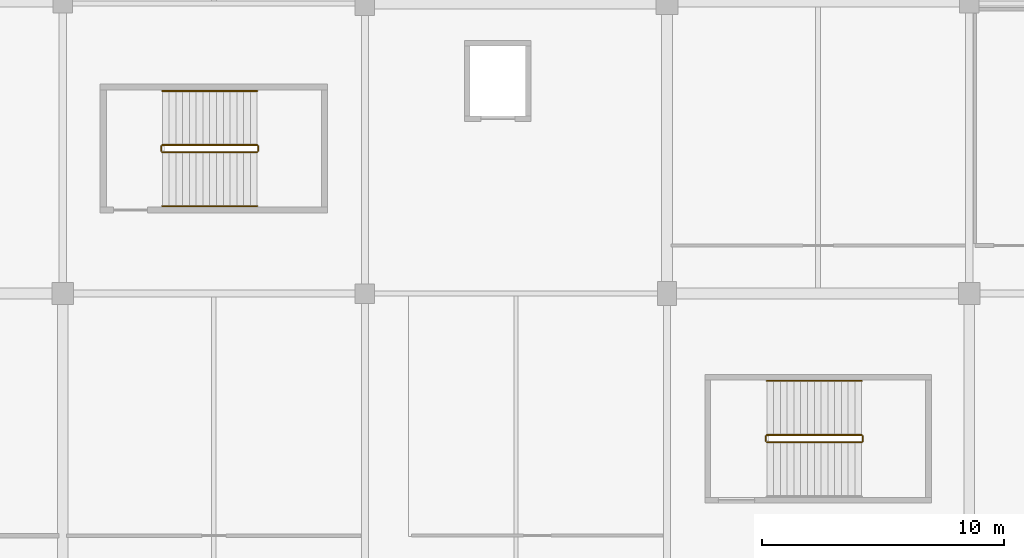
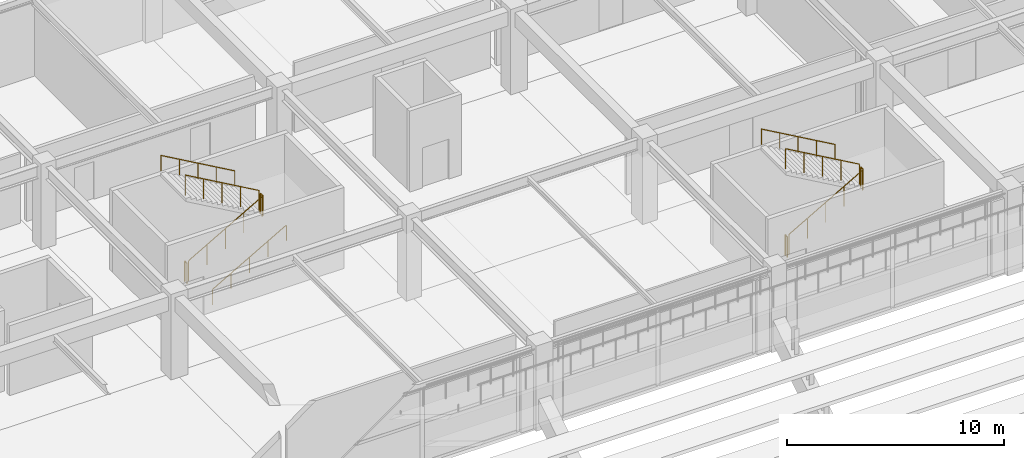
# One storey, part 132 of 134: 11 railings.
"""IFC4 building model written with IfcOpenShell, lengths in metres."""

from ifc_helpers import new_model, si_unit, direction, frame, origin, origin_2d, place, context, subcontext, project, spatial, circle, extrude, material, layer, layer_set, type_object, element, save


model = new_model("IFC4")

# Units and contexts
model_context = context("Model", 3, precision=1e-05, world=origin(), true_north=direction((0.0, 1.0)))
body_context = subcontext(model_context, "Body", "Model", "MODEL_VIEW")
ifc_project = project(units=[si_unit("LENGTHUNIT", "METRE"), si_unit("AREAUNIT", "SQUARE_METRE"), si_unit("VOLUMEUNIT", "CUBIC_METRE"), si_unit("PLANEANGLEUNIT", "RADIAN"), si_unit("MASSUNIT", "GRAM", prefix="KILO")], contexts=[model_context])

# Site, building, storey
site_placement = place(None, origin())
site = spatial("IfcSite", under=ifc_project, at=site_placement, CompositionType="ELEMENT")
building_placement = place(site_placement, origin())
building = spatial("IfcBuilding", under=site, at=building_placement, Name="Kazenohara Klinker Stadium", CompositionType="ELEMENT")
storey_placement = place(building_placement, frame((0.0, 0.0, 5.39990234375)))
storey = spatial("IfcBuildingStorey", under=building, at=storey_placement, Name="L01", CompositionType="ELEMENT", Elevation=5.39990234375)

# Railings
ifc_material_1 = material(Name="Brushed stainless steel 304 handrail", Category="steel")
ifc_layer_1 = layer(ifc_material_1, 0.050048828125)
ifc_layer_set_1 = layer_set([ifc_layer_1], Name="Brushed stainless steel 304 handrail")
railing_type_1 = type_object("IfcRailingType", Name="RL-HND-900", PredefinedType="HANDRAIL", material=ifc_layer_set_1)
railing_1_placement = place(storey_placement, frame((129.1201171875, 147.6201171875, 0.16015625)))
element("IfcRailing", 1, at=railing_1_placement, inside=storey, type_object=railing_type_1, Name="L01 ST11 stair handrail 1", PredefinedType="HANDRAIL", context=body_context, shape_type="SweptSolid", body=[
    extrude(circle(Radius=0.02392578125, at=origin_2d()), frame((0.0, 0.0, 0.8759765625), z_axis=(0.868239814368, 0.0, 0.496144761885), x_axis=(0.0, 1.0, 0.0)), (0.0, 0.0, 1.0), 4.514892578125),
    extrude(circle(Radius=0.02099609375, at=origin_2d()), origin(), (0.0, 0.0, 1.0), 0.851806640625),
    extrude(circle(Radius=0.02099609375, at=origin_2d()), frame((0.97998046875, 0.0, 0.56005859375)), (0.0, 0.0, 1.0), 0.851806640625),
    extrude(circle(Radius=0.02099609375, at=origin_2d()), frame((1.9599609375, 0.0, 1.1201171875)), (0.0, 0.0, 1.0), 0.851806640625),
    extrude(circle(Radius=0.02099609375, at=origin_2d()), frame((2.93994140625, 0.0, 1.679931640625)), (0.0, 0.0, 1.0), 0.851806640625),
    extrude(circle(Radius=0.02099609375, at=origin_2d()), frame((3.919921875, 0.0, 2.239990234375)), (0.0, 0.0, 1.0), 0.851806640625),
])
railing_2_placement = place(storey_placement, frame((133.0400390625, 152.3798828125, 2.56005859375)))
element("IfcRailing", 2, at=railing_2_placement, inside=storey, type_object=railing_type_1, Name="L01 ST11 stair handrail 2", PredefinedType="HANDRAIL", context=body_context, shape_type="SweptSolid", body=[
    extrude(circle(Radius=0.02392578125, at=origin_2d()), frame((0.0, 0.0, 0.8759765625), z_axis=(-0.868239814368, 0.0, 0.496144761885), x_axis=(0.0, -1.0, 0.0)), (0.0, 0.0, 1.0), 4.514892578125),
    extrude(circle(Radius=0.02099609375, at=origin_2d()), origin(), (0.0, 0.0, 1.0), 0.851806640625),
    extrude(circle(Radius=0.02099609375, at=origin_2d()), frame((-0.97998046875, 0.0, 0.56005859375)), (0.0, 0.0, 1.0), 0.851806640625),
    extrude(circle(Radius=0.02099609375, at=origin_2d()), frame((-1.9599609375, 0.0, 1.1201171875)), (0.0, 0.0, 1.0), 0.851806640625),
    extrude(circle(Radius=0.02099609375, at=origin_2d()), frame((-2.93994140625, 0.0, 1.679931640625)), (0.0, 0.0, 1.0), 0.851806640625),
    extrude(circle(Radius=0.02099609375, at=origin_2d()), frame((-3.919921875, 0.0, 2.239990234375)), (0.0, 0.0, 1.0), 0.851806640625),
])
railing_3_placement = place(storey_placement, frame((158.050048828125, 140.389892578125, 2.56005859375)))
element("IfcRailing", 3, at=railing_3_placement, inside=storey, type_object=railing_type_1, Name="L01 ST20 stair handrail 2", PredefinedType="HANDRAIL", context=body_context, shape_type="SweptSolid", body=[
    extrude(circle(Radius=0.02392578125, at=origin_2d()), frame((0.0, 0.0, 0.8759765625), z_axis=(-0.86825312469, 0.0, 0.496121468458), x_axis=(0.0, -1.0, 0.0)), (0.0, 0.0, 1.0), 4.514892578125),
    extrude(circle(Radius=0.02099609375, at=origin_2d()), origin(), (0.0, 0.0, 1.0), 0.851806640625),
    extrude(circle(Radius=0.02099609375, at=origin_2d()), frame((-0.97998046875, 0.0, 0.56005859375)), (0.0, 0.0, 1.0), 0.851806640625),
    extrude(circle(Radius=0.02099609375, at=origin_2d()), frame((-1.9599609375, 0.0, 1.1201171875)), (0.0, 0.0, 1.0), 0.851806640625),
    extrude(circle(Radius=0.02099609375, at=origin_2d()), frame((-2.940185546875, 0.0, 1.679931640625)), (0.0, 0.0, 1.0), 0.851806640625),
    extrude(circle(Radius=0.02099609375, at=origin_2d()), frame((-3.920166015625, 0.0, 2.239990234375)), (0.0, 0.0, 1.0), 0.851806640625),
])
ifc_material_2 = material(Name="Painted steel stairwell guardrail", Category="steel")
ifc_layer_2 = layer(ifc_material_2, 0.06005859375)
ifc_layer_set_2 = layer_set([ifc_layer_2], Name="Painted steel stairwell guardrail")
railing_type_2 = type_object("IfcRailingType", Name="RL-STG-1120", PredefinedType="GUARDRAIL", material=ifc_layer_set_2)
railing_4_placement = place(storey_placement, frame((129.1201171875, 149.85009765625, 0.16015625)))
element("IfcRailing", 4, at=railing_4_placement, inside=storey, type_object=railing_type_2, Name="L01 ST11 stair guard 1", PredefinedType="GUARDRAIL", context=body_context, shape_type="SweptSolid", body=[
    extrude(circle(Radius=0.02392578125, at=origin_2d()), frame((0.0, 0.0, 1.1259765625), z_axis=(0.868239814368, 0.0, 0.496144761885), x_axis=(0.0, 1.0, 0.0)), (0.0, 0.0, 1.0), 4.514892578125),
    extrude(circle(Radius=0.02099609375, at=origin_2d()), origin(), (0.0, 0.0, 1.0), 1.101806640625),
    extrude(circle(Radius=0.02099609375, at=origin_2d()), frame((0.97998046875, 0.0, 0.56005859375)), (0.0, 0.0, 1.0), 1.101806640625),
    extrude(circle(Radius=0.02099609375, at=origin_2d()), frame((1.9599609375, 0.0, 1.1201171875)), (0.0, 0.0, 1.0), 1.101806640625),
    extrude(circle(Radius=0.02099609375, at=origin_2d()), frame((2.93994140625, 0.0, 1.679931640625)), (0.0, 0.0, 1.0), 1.101806640625),
    extrude(circle(Radius=0.02099609375, at=origin_2d()), frame((3.919921875, 0.0, 2.239990234375)), (0.0, 0.0, 1.0), 1.101806640625),
])
railing_5_placement = place(storey_placement, frame((133.090087890625, 149.89990234375, 2.400146484375)))
element("IfcRailing", 5, at=railing_5_placement, inside=storey, type_object=railing_type_2, Name="L01 ST11 stair guard 2", PredefinedType="GUARDRAIL", context=body_context, shape_type="SweptSolid", body=[
    extrude(circle(Radius=0.02392578125, at=origin_2d()), frame((0.0, 0.0, 1.1259765625), z_axis=(0.0, 1.0, 0.0), x_axis=(-1.0, 0.0, 0.0)), (0.0, 0.0, 1.0), 0.2001953125),
    extrude(circle(Radius=0.02099609375, at=origin_2d()), origin(), (0.0, 0.0, 1.0), 1.101806640625),
    extrude(circle(Radius=0.02099609375, at=origin_2d()), frame((0.0, 0.2001953125, 0.0)), (0.0, 0.0, 1.0), 1.101806640625),
])
railing_6_placement = place(storey_placement, frame((133.0400390625, 150.14990234375, 2.56005859375)))
element("IfcRailing", 6, at=railing_6_placement, inside=storey, type_object=railing_type_2, Name="L01 ST11 stair guard 3", PredefinedType="GUARDRAIL", context=body_context, shape_type="SweptSolid", body=[
    extrude(circle(Radius=0.02392578125, at=origin_2d()), frame((0.0, 0.0, 1.1259765625), z_axis=(-0.868239814368, 0.0, 0.496144761885), x_axis=(0.0, -1.0, 0.0)), (0.0, 0.0, 1.0), 4.514892578125),
    extrude(circle(Radius=0.02099609375, at=origin_2d()), origin(), (0.0, 0.0, 1.0), 1.101806640625),
    extrude(circle(Radius=0.02099609375, at=origin_2d()), frame((-0.97998046875, 0.0, 0.56005859375)), (0.0, 0.0, 1.0), 1.101806640625),
    extrude(circle(Radius=0.02099609375, at=origin_2d()), frame((-1.9599609375, 0.0, 1.1201171875)), (0.0, 0.0, 1.0), 1.101806640625),
    extrude(circle(Radius=0.02099609375, at=origin_2d()), frame((-2.93994140625, 0.0, 1.679931640625)), (0.0, 0.0, 1.0), 1.101806640625),
    extrude(circle(Radius=0.02099609375, at=origin_2d()), frame((-3.919921875, 0.0, 2.239990234375)), (0.0, 0.0, 1.0), 1.101806640625),
])
railing_7_placement = place(storey_placement, frame((129.070068359375, 149.89990234375, 0.0)))
element("IfcRailing", 7, at=railing_7_placement, inside=storey, type_object=railing_type_2, Name="L01 ST11 stair guard 4", PredefinedType="GUARDRAIL", context=body_context, shape_type="SweptSolid", body=[
    extrude(circle(Radius=0.02392578125, at=origin_2d()), frame((0.0, 0.0, 1.1259765625), z_axis=(0.0, 1.0, 0.0), x_axis=(-1.0, 0.0, 0.0)), (0.0, 0.0, 1.0), 0.2001953125),
    extrude(circle(Radius=0.02099609375, at=origin_2d()), origin(), (0.0, 0.0, 1.0), 1.101806640625),
    extrude(circle(Radius=0.02099609375, at=origin_2d()), frame((0.0, 0.2001953125, 0.0)), (0.0, 0.0, 1.0), 1.101806640625),
])
railing_8_placement = place(storey_placement, frame((154.1298828125, 137.85009765625, 0.16015625)))
element("IfcRailing", 8, at=railing_8_placement, inside=storey, type_object=railing_type_2, Name="L01 ST20 stair guard 1", PredefinedType="GUARDRAIL", context=body_context, shape_type="SweptSolid", body=[
    extrude(circle(Radius=0.02392578125, at=origin_2d()), frame((0.0, 0.0, 1.1259765625), z_axis=(0.86825312469, 0.0, 0.496121468458), x_axis=(0.0, 1.0, 0.0)), (0.0, 0.0, 1.0), 4.514892578125),
    extrude(circle(Radius=0.02099609375, at=origin_2d()), origin(), (0.0, 0.0, 1.0), 1.101806640625),
    extrude(circle(Radius=0.02099609375, at=origin_2d()), frame((0.97998046875, 0.0, 0.56005859375)), (0.0, 0.0, 1.0), 1.101806640625),
    extrude(circle(Radius=0.02099609375, at=origin_2d()), frame((1.9599609375, 0.0, 1.1201171875)), (0.0, 0.0, 1.0), 1.101806640625),
    extrude(circle(Radius=0.02099609375, at=origin_2d()), frame((2.940185546875, 0.0, 1.679931640625)), (0.0, 0.0, 1.0), 1.101806640625),
    extrude(circle(Radius=0.02099609375, at=origin_2d()), frame((3.920166015625, 0.0, 2.239990234375)), (0.0, 0.0, 1.0), 1.101806640625),
])
railing_9_placement = place(storey_placement, frame((158.10009765625, 137.89990234375, 2.400146484375)))
element("IfcRailing", 9, at=railing_9_placement, inside=storey, type_object=railing_type_2, Name="L01 ST20 stair guard 2", PredefinedType="GUARDRAIL", context=body_context, shape_type="SweptSolid", body=[
    extrude(circle(Radius=0.02392578125, at=origin_2d()), frame((0.0, 0.0, 1.1259765625), z_axis=(0.0, 1.0, 0.0), x_axis=(-1.0, 0.0, 0.0)), (0.0, 0.0, 1.0), 0.2001953125),
    extrude(circle(Radius=0.02099609375, at=origin_2d()), origin(), (0.0, 0.0, 1.0), 1.101806640625),
    extrude(circle(Radius=0.02099609375, at=origin_2d()), frame((0.0, 0.2001953125, 0.0)), (0.0, 0.0, 1.0), 1.101806640625),
])
railing_10_placement = place(storey_placement, frame((158.050048828125, 138.14990234375, 2.56005859375)))
element("IfcRailing", 10, at=railing_10_placement, inside=storey, type_object=railing_type_2, Name="L01 ST20 stair guard 3", PredefinedType="GUARDRAIL", context=body_context, shape_type="SweptSolid", body=[
    extrude(circle(Radius=0.02392578125, at=origin_2d()), frame((0.0, 0.0, 1.1259765625), z_axis=(-0.86825312469, 0.0, 0.496121468458), x_axis=(0.0, -1.0, 0.0)), (0.0, 0.0, 1.0), 4.514892578125),
    extrude(circle(Radius=0.02099609375, at=origin_2d()), origin(), (0.0, 0.0, 1.0), 1.101806640625),
    extrude(circle(Radius=0.02099609375, at=origin_2d()), frame((-0.97998046875, 0.0, 0.56005859375)), (0.0, 0.0, 1.0), 1.101806640625),
    extrude(circle(Radius=0.02099609375, at=origin_2d()), frame((-1.9599609375, 0.0, 1.1201171875)), (0.0, 0.0, 1.0), 1.101806640625),
    extrude(circle(Radius=0.02099609375, at=origin_2d()), frame((-2.940185546875, 0.0, 1.679931640625)), (0.0, 0.0, 1.0), 1.101806640625),
    extrude(circle(Radius=0.02099609375, at=origin_2d()), frame((-3.920166015625, 0.0, 2.239990234375)), (0.0, 0.0, 1.0), 1.101806640625),
])
railing_11_placement = place(storey_placement, frame((154.080078125, 137.89990234375, 0.0)))
element("IfcRailing", 11, at=railing_11_placement, inside=storey, type_object=railing_type_2, Name="L01 ST20 stair guard 4", PredefinedType="GUARDRAIL", context=body_context, shape_type="SweptSolid", body=[
    extrude(circle(Radius=0.02392578125, at=origin_2d()), frame((0.0, 0.0, 1.1259765625), z_axis=(0.0, 1.0, 0.0), x_axis=(-1.0, 0.0, 0.0)), (0.0, 0.0, 1.0), 0.2001953125),
    extrude(circle(Radius=0.02099609375, at=origin_2d()), origin(), (0.0, 0.0, 1.0), 1.101806640625),
    extrude(circle(Radius=0.02099609375, at=origin_2d()), frame((0.0, 0.2001953125, 0.0)), (0.0, 0.0, 1.0), 1.101806640625),
])

save(model, "model.ifc")
